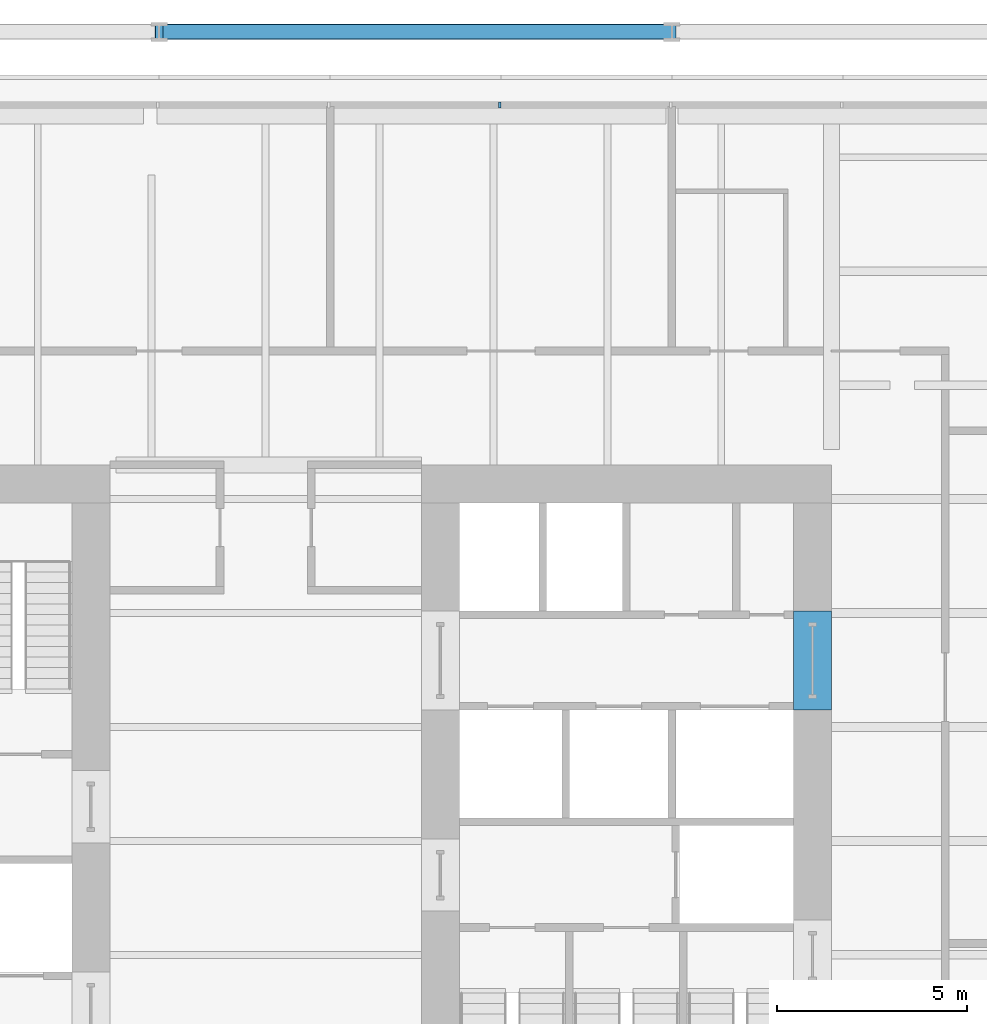
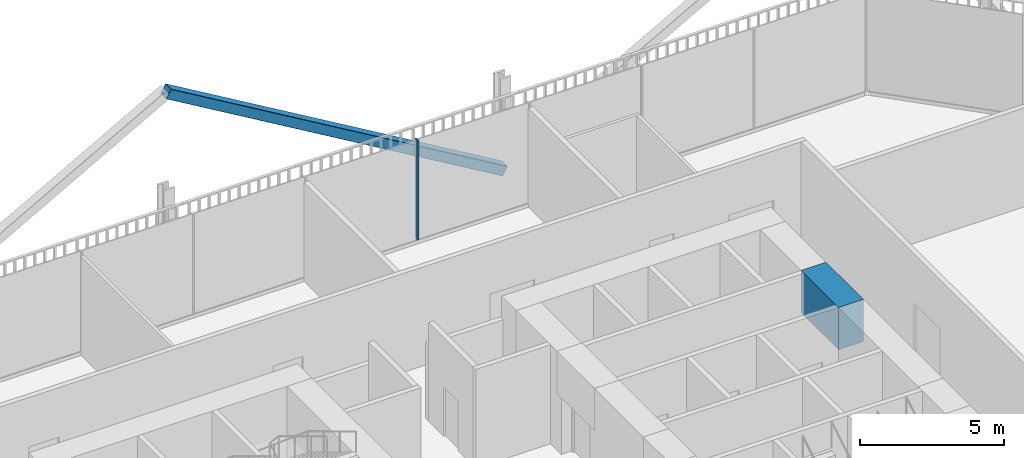
# One storey, part 14 of 21: 2 members, 1 beam, 1 element without a shape of its own.
"""IFC4 building model written with IfcOpenShell, lengths in metres."""

from ifc_helpers import new_model, si_unit, direction, frame, origin, origin_2d, place, context, subcontext, project, spatial, rectangle, hollow_rectangle, extrude, material, layer, layer_set, material_profile, profile_set, type_object, element, aggregate, save


model = new_model("IFC4")

# Units and contexts
model_context = context("Model", 3, precision=1e-05, world=origin(), true_north=direction((0.0, 1.0)))
body_context = subcontext(model_context, "Body", "Model", "MODEL_VIEW")
ifc_project = project(units=[si_unit("LENGTHUNIT", "METRE"), si_unit("AREAUNIT", "SQUARE_METRE"), si_unit("VOLUMEUNIT", "CUBIC_METRE"), si_unit("PLANEANGLEUNIT", "RADIAN"), si_unit("MASSUNIT", "GRAM", prefix="KILO")], contexts=[model_context])

# Site, building, storey
site_placement = place(None, origin())
site = spatial("IfcSite", under=ifc_project, at=site_placement, CompositionType="ELEMENT")
building_placement = place(site_placement, origin())
building = spatial("IfcBuilding", under=site, at=building_placement, Name="Millrace Tower", CompositionType="ELEMENT")
storey_placement = place(building_placement, frame((0.0, 0.0, 73.199951171875)))
storey = spatial("IfcBuildingStorey", under=building, at=storey_placement, Name="L16", CompositionType="ELEMENT", Elevation=73.199951171875)

# Curtain wall, member
ifc_material_1 = material(Name="Aluminium and glass", Category="aluminium")
ifc_layer = layer(ifc_material_1, 0.14990234375)
ifc_layer_set = layer_set([ifc_layer], Name="Aluminium and glass")
curtain_wall_type = type_object("IfcCurtainWallType", Name="CW-3 telecom floor curtain wall", PredefinedType="NOTDEFINED", material=ifc_layer_set)
curtain_wall_placement = place(storey_placement, origin())
curtain_wall = element("IfcCurtainWall", 1, at=curtain_wall_placement, inside=storey, type_object=curtain_wall_type, Name="Curtain wall B-F06 L16", PredefinedType="NOTDEFINED")
ifc_material_2 = material(Name="Aluminium", Category="aluminium")
ifc_material_profile_1 = material_profile(ifc_material_2, rectangle(XDim=0.06494140625, YDim=0.14990234375, at=origin_2d()))
ifc_profile_set_1 = profile_set([ifc_material_profile_1], Name="Aluminium")
member_type_1 = type_object("IfcMemberType", Name="CW-3 telecom floor curtain wall mullion", PredefinedType="MULLION", material=ifc_profile_set_1)
member_1_placement = place(storey_placement, frame((6.16748046875, 19.375, 0.150146484375), z_axis=(0.0, 0.0, 1.0), x_axis=(-1.0, 0.0, 0.0)))
member_1 = element("IfcMember", 2, at=member_1_placement, type_object=member_type_1, Name="CW3 mullion B-F06.5", PredefinedType="MULLION", context=body_context, shape_type="SweptSolid", body=[
    extrude(rectangle(XDim=0.06494140625, YDim=0.14990234375, at=origin_2d()), origin(), (0.0, 0.0, 1.0), 4.25),
])
aggregate(curtain_wall, [member_1])

# Beam
ifc_material_3 = material(Name="Concrete C80", Category="concrete")
ifc_material_profile_2 = material_profile(ifc_material_3, rectangle(XDim=1.0, YDim=1.800048828125, at=origin_2d()))
ifc_profile_set_2 = profile_set([ifc_material_profile_2], Name="Concrete C80")
beam_type = type_object("IfcBeamType", Name="Coupling beam 1000 x 1800 Concrete C80, 2000 opening", PredefinedType="BEAM", material=ifc_profile_set_2)
beam_placement = place(storey_placement, frame((14.39990234375, 6.050048828125, 3.300048828125), z_axis=(0.0, -1.0, 0.0), x_axis=(1.0, 0.0, 0.0)))
element("IfcBeam", 3, at=beam_placement, inside=storey, type_object=beam_type, Name="Coupling beam E L16", PredefinedType="BEAM", context=body_context, shape_type="SweptSolid", body=[
    extrude(rectangle(XDim=1.0, YDim=1.800048828125, at=origin_2d()), origin(), (0.0, 0.0, 1.0), 2.60009765625),
])

# Member
ifc_material_4 = material(Name="Steel ASTM A500 Grade C", Category="steel")
ifc_material_profile_3 = material_profile(ifc_material_4, hollow_rectangle(XDim=0.406494140625, YDim=0.406494140625, WallThickness=0.015869140625, InnerFilletRadius=0.008056640625, OuterFilletRadius=0.02392578125, at=origin_2d()))
ifc_profile_set_3 = profile_set([ifc_material_profile_3], Name="Steel ASTM A500 Grade C")
member_type_2 = type_object("IfcMemberType", Name="Exoskeleton brace HSS16x16x5/8", PredefinedType="BRACE", material=ifc_profile_set_3)
member_2_placement = place(storey_placement, frame((10.699951171875, 21.300048828125, 0.400146484375), z_axis=(-0.860291533634, 0.0, 0.509802390302), x_axis=(0.0, -1.0, 0.0)))
element("IfcMember", 4, at=member_2_placement, inside=storey, type_object=member_type_2, Name="BRC-B-L16-11", PredefinedType="BRACE", context=body_context, shape_type="SweptSolid", body=[
    extrude(hollow_rectangle(XDim=0.406494140625, YDim=0.406494140625, WallThickness=0.015869140625, InnerFilletRadius=0.008056640625, OuterFilletRadius=0.02392578125, at=origin_2d()), origin(), (0.0, 0.0, 1.0), 15.6923828125),
])

save(model, "model.ifc")
